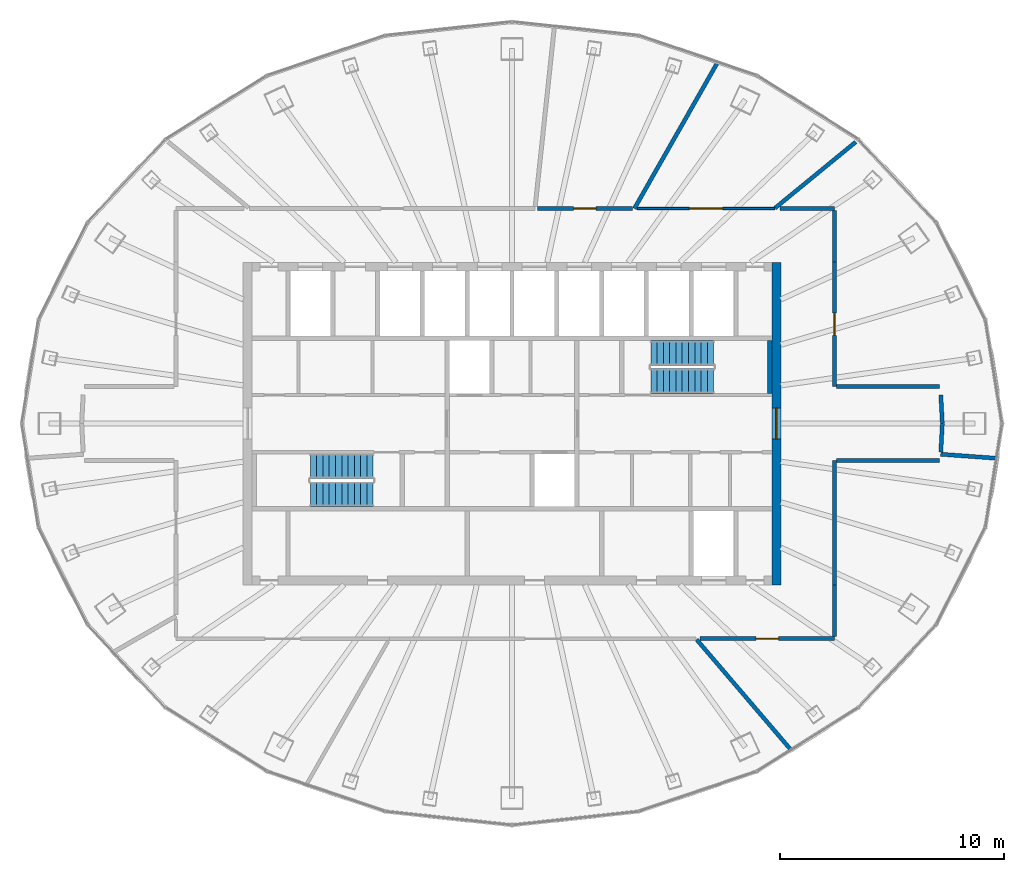
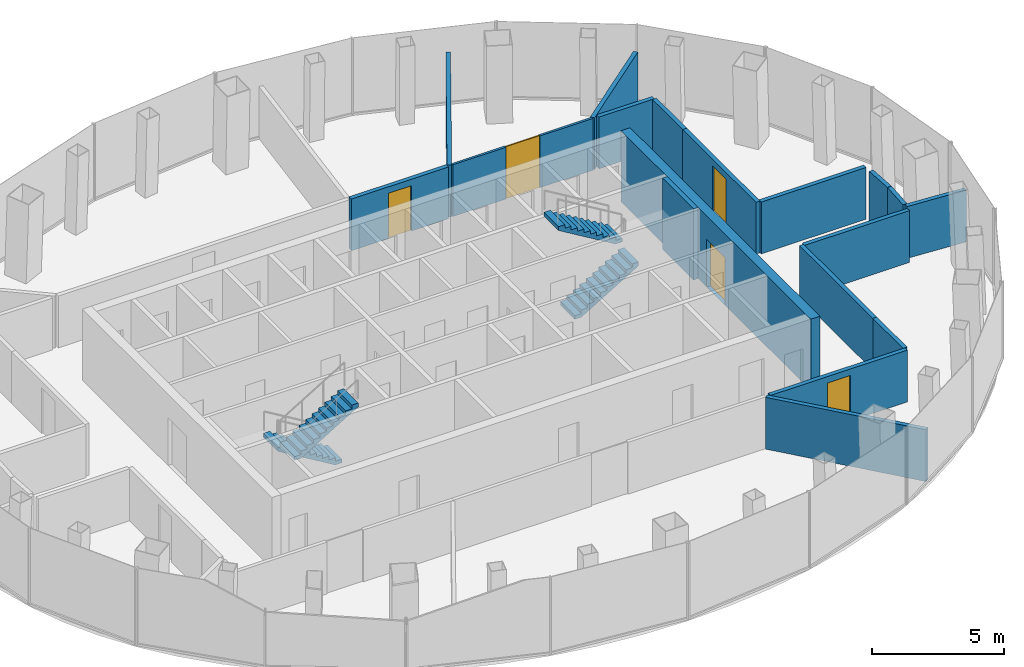
# One storey, part 10 of 11: 18 walls, 5 doors, 4 stair flights, 5 openings, 2 elements without a shape of their own.
"""IFC4 building model written with IfcOpenShell, lengths in metres."""

from ifc_helpers import new_model, si_unit, direction, frame, frame_2d, origin, place, context, subcontext, project, spatial, polyline, rectangle, outline, extrude, material, layer, layer_set, type_object, element, fill, aggregate, save


model = new_model("IFC4")

# Units and contexts
model_context = context("Model", 3, precision=1e-05, world=origin(), true_north=direction((0.0, 1.0)))
body_context = subcontext(model_context, "Body", "Model", "MODEL_VIEW")
ifc_project = project(units=[si_unit("LENGTHUNIT", "METRE"), si_unit("AREAUNIT", "SQUARE_METRE"), si_unit("VOLUMEUNIT", "CUBIC_METRE"), si_unit("PLANEANGLEUNIT", "RADIAN"), si_unit("MASSUNIT", "GRAM", prefix="KILO")], contexts=[model_context])

# Site, building, storey
site_placement = place(None, origin())
site = spatial("IfcSite", under=ifc_project, at=site_placement, CompositionType="ELEMENT")
building_placement = place(site_placement, origin())
building = spatial("IfcBuilding", under=site, at=building_placement, Name="Siaravel Broadcast Tower", CompositionType="ELEMENT")
storey_placement = place(building_placement, frame((0.0, 0.0, 224.5)))
storey = spatial("IfcBuildingStorey", under=building, at=storey_placement, Name="L54", CompositionType="ELEMENT", Elevation=224.5)

# Wall, opening, door
ifc_material_1 = material(Name="Concrete C60/75", Category="concrete")
ifc_layer_1 = layer(ifc_material_1, 0.39990234375)
ifc_layer_set_1 = layer_set([ifc_layer_1], Name="Concrete C60/75")
wall_type_1 = type_object("IfcWallType", Name="Core wall 400", PredefinedType="SHEAR", material=ifc_layer_set_1)
wall_1_placement = place(storey_placement, frame((11.800048828125, -7.199951171875, 0.0), z_axis=(0.0, 0.0, 1.0), x_axis=(0.0, 1.0, 0.0)))
wall_1 = element("IfcWall", 1, at=wall_1_placement, inside=storey, type_object=wall_type_1, Name="L54 core wall OE", PredefinedType="SHEAR", context=body_context, shape_type="SweptSolid", body=[
    extrude(rectangle(XDim=14.39990234375, YDim=0.39990234375, at=frame_2d((7.199951171875, 0.0))), origin(), (0.0, 0.0, 1.0), 3.300048828125),
])
opening_1_placement = place(wall_1_placement, frame((6.5, 0.0, 0.0)))
opening_1 = element("IfcOpeningElement", 2, at=opening_1_placement, cuts=wall_1, Name="Opening L54-DX-E", PredefinedType="OPENING", context=body_context, shape_type="SweptSolid", body=[
    extrude(rectangle(XDim=1.39990234375, YDim=2.199951171875, at=frame_2d((0.699951171875, 1.10009765625))), frame((0.0, 0.2099609375, 0.0), z_axis=(0.0, -1.0, 0.0), x_axis=(1.0, 0.0, 0.0)), (0.0, 0.0, 1.0), 0.419921875),
])
ifc_material_2 = material(Name="Steel", Category="steel")
door_type_1 = type_object("IfcDoorType", Name="Core exit door 1400", OperationType="DOUBLE_DOOR_SINGLE_SWING", PredefinedType="DOOR", material=ifc_material_2)
door_1_placement = place(opening_1_placement, origin())
door_1 = element("IfcDoor", 3, at=door_1_placement, inside=storey, type_object=door_type_1, Name="L54 door DX-E", OperationType="DOUBLE_DOOR_SINGLE_SWING", OverallHeight=2.199951171875, OverallWidth=1.39990234375, PredefinedType="DOOR", context=body_context, shape_type="SweptSolid", body=[
    extrude(rectangle(XDim=1.39990234375, YDim=2.199951171875, at=frame_2d((0.699951171875, 1.10009765625))), frame((0.0, 0.02490234375, 0.0), z_axis=(0.0, -1.0, 0.0), x_axis=(1.0, 0.0, 0.0)), (0.0, 0.0, 1.0), 0.050048828125),
])
fill(opening_1, door_1)

ifc_material_3 = material(Name="Glazed aluminium partition", Category="aluminium")
ifc_layer_2 = layer(ifc_material_3, 0.10009765625)
ifc_layer_set_2 = layer_set([ifc_layer_2], Name="Glazed aluminium partition")
wall_type_2 = type_object("IfcWallType", Name="Glazed meeting room partition 100", PredefinedType="PARTITIONING", material=ifc_layer_set_2)
wall_2_placement = place(storey_placement, frame((11.719970703125, 9.60009765625, 0.0), z_axis=(0.0, 0.0, 1.0), x_axis=(-1.0, 0.0, 0.0)))
wall_2 = element("IfcWall", 4, at=wall_2_placement, inside=storey, type_object=wall_type_2, Name="L54 partition 8", PredefinedType="PARTITIONING", context=body_context, shape_type="SweptSolid", body=[
    extrude(rectangle(XDim=6.120849609375, YDim=0.10009765625, at=frame_2d((3.060546875, 0.0))), origin(), (0.0, 0.0, 1.0), 2.39990234375),
])
opening_2_placement = place(wall_2_placement, frame((2.310302734375, 0.0, 0.0)))
opening_2 = element("IfcOpeningElement", 5, at=opening_2_placement, cuts=wall_2, Name="Opening L54-004", PredefinedType="OPENING", context=body_context, shape_type="SweptSolid", body=[
    extrude(rectangle(XDim=1.5, YDim=2.39990234375, at=frame_2d((0.75, 1.199951171875))), frame((0.0, 0.06005859375, 0.0), z_axis=(0.0, -1.0, 0.0), x_axis=(1.0, 0.0, 0.0)), (0.0, 0.0, 1.0), 0.1201171875),
])
ifc_material_4 = material(Name="Timber veneer", Category="wood")
door_type_2 = type_object("IfcDoorType", Name="Conference double door 1500", OperationType="DOUBLE_DOOR_SINGLE_SWING", PredefinedType="DOOR", material=ifc_material_4)
door_2_placement = place(opening_2_placement, origin())
door_2 = element("IfcDoor", 6, at=door_2_placement, inside=storey, type_object=door_type_2, Name="L54 door to Conference room", OperationType="DOUBLE_DOOR_SINGLE_SWING", OverallHeight=2.39990234375, OverallWidth=1.5, PredefinedType="DOOR", context=body_context, shape_type="SweptSolid", body=[
    extrude(rectangle(XDim=1.5, YDim=2.39990234375, at=frame_2d((0.75, 1.199951171875))), frame((0.0, 0.02490234375, 0.0), z_axis=(0.0, -1.0, 0.0), x_axis=(1.0, 0.0, 0.0)), (0.0, 0.0, 1.0), 0.050048828125),
])
fill(opening_2, door_2)

# Walls
ifc_material_5 = material(Name="Concrete blockwork", Category="masonry")
ifc_layer_3 = layer(ifc_material_5, 0.179931640625)
ifc_layer_set_3 = layer_set([ifc_layer_3], Name="Concrete blockwork")
wall_type_3 = type_object("IfcWallType", Name="Service room fire partition 180", PredefinedType="PARTITIONING", material=ifc_layer_set_3)
wall_3_placement = place(storey_placement, frame((9.16796875, 16.1044921875, 0.0), z_axis=(0.0, 0.0, 1.0), x_axis=(-0.494736666, -0.86904294, 0.0)))
element("IfcWall", 7, at=wall_3_placement, inside=storey, type_object=wall_type_3, Name="L54 partition 5", PredefinedType="PARTITIONING", context=body_context, shape_type="SweptSolid", body=[
    extrude(rectangle(XDim=7.484619140625, YDim=0.179931640625, at=frame_2d((3.7421875, 0.0))), origin(), (0.0, 0.0, 1.0), 2.39990234375),
])
wall_4_placement = place(storey_placement, frame((12.44580078125, -14.5595703125, 0.0), z_axis=(0.0, 0.0, 1.0), x_axis=(-0.649761442, 0.76013819, 0.0)))
element("IfcWall", 8, at=wall_4_placement, inside=storey, type_object=wall_type_3, Name="L54 partition 7", PredefinedType="PARTITIONING", context=body_context, shape_type="SweptSolid", body=[
    extrude(rectangle(XDim=6.46533203125, YDim=0.179931640625, at=frame_2d((3.232666015625, 0.0))), origin(), (0.0, 0.0, 1.0), 2.39990234375),
])

# Wall, opening, door
wall_5_placement = place(storey_placement, frame((8.40380859375, -9.60009765625, 0.0), z_axis=(0.0, 0.0, 1.0), x_axis=(1.0, 0.0, 0.0)))
wall_5 = element("IfcWall", 9, at=wall_5_placement, inside=storey, type_object=wall_type_3, Name="L54 partition 9", PredefinedType="PARTITIONING", context=body_context, shape_type="SweptSolid", body=[
    extrude(rectangle(XDim=5.99609375, YDim=0.179931640625, at=frame_2d((2.998046875, 0.0))), origin(), (0.0, 0.0, 1.0), 2.39990234375),
])
opening_3_placement = place(wall_5_placement, frame((2.498046875, 0.0, 0.0)))
opening_3 = element("IfcOpeningElement", 10, at=opening_3_placement, cuts=wall_5, Name="Opening L54-002", PredefinedType="OPENING", context=body_context, shape_type="SweptSolid", body=[
    extrude(rectangle(XDim=1.0, YDim=2.10009765625, at=frame_2d((0.5, 1.050048828125))), frame((0.0, 0.099853515625, 0.0), z_axis=(0.0, -1.0, 0.0), x_axis=(1.0, 0.0, 0.0)), (0.0, 0.0, 1.0), 0.199951171875),
])
door_type_3 = type_object("IfcDoorType", Name="Service room door 1000", OperationType="SINGLE_SWING_LEFT", PredefinedType="DOOR", material=ifc_material_2)
door_3_placement = place(opening_3_placement, origin())
door_3 = element("IfcDoor", 11, at=door_3_placement, inside=storey, type_object=door_type_3, Name="L54 door to Library", OperationType="SINGLE_SWING_RIGHT", OverallHeight=2.10009765625, OverallWidth=1.0, PredefinedType="DOOR", context=body_context, shape_type="SweptSolid", body=[
    extrude(rectangle(XDim=1.0, YDim=2.10009765625, at=frame_2d((0.5, 1.050048828125))), frame((0.0, 0.02490234375, 0.0), z_axis=(0.0, -1.0, 0.0), x_axis=(1.0, 0.0, 0.0)), (0.0, 0.0, 1.0), 0.050048828125),
])
fill(opening_3, door_3)

# Wall
wall_6_placement = place(storey_placement, frame((14.39990234375, -7.2119140625, 0.0), z_axis=(0.0, 0.0, 1.0), x_axis=(0.0, 1.0, 0.0)))
element("IfcWall", 12, at=wall_6_placement, inside=storey, type_object=wall_type_3, Name="L54 partition 12", PredefinedType="PARTITIONING", context=body_context, shape_type="SweptSolid", body=[
    extrude(rectangle(XDim=5.56201171875, YDim=0.179931640625, at=frame_2d((2.781005859375, 0.0))), origin(), (0.0, 0.0, 1.0), 2.39990234375),
])

# Wall, opening, door
wall_7_placement = place(storey_placement, frame((14.39990234375, 1.64990234375, 0.0), z_axis=(0.0, 0.0, 1.0), x_axis=(0.0, 1.0, 0.0)))
wall_7 = element("IfcWall", 13, at=wall_7_placement, inside=storey, type_object=wall_type_3, Name="L54 partition 13", PredefinedType="PARTITIONING", context=body_context, shape_type="SweptSolid", body=[
    extrude(rectangle(XDim=5.56201171875, YDim=0.179931640625, at=frame_2d((2.781005859375, 0.0))), origin(), (0.0, 0.0, 1.0), 2.39990234375),
])
opening_4_placement = place(wall_7_placement, frame((2.281005859375, 0.0, 0.0)))
opening_4 = element("IfcOpeningElement", 14, at=opening_4_placement, cuts=wall_7, Name="Opening L54-003", PredefinedType="OPENING", context=body_context, shape_type="SweptSolid", body=[
    extrude(rectangle(XDim=1.0, YDim=2.10009765625, at=frame_2d((0.5, 1.050048828125))), frame((0.0, 0.099853515625, 0.0), z_axis=(0.0, -1.0, 0.0), x_axis=(1.0, 0.0, 0.0)), (0.0, 0.0, 1.0), 0.199951171875),
])
door_4_placement = place(opening_4_placement, origin())
door_4 = element("IfcDoor", 15, at=door_4_placement, inside=storey, type_object=door_type_3, Name="L54 door to Library", OperationType="SINGLE_SWING_LEFT", OverallHeight=2.10009765625, OverallWidth=1.0, PredefinedType="DOOR", context=body_context, shape_type="SweptSolid", body=[
    extrude(rectangle(XDim=1.0, YDim=2.10009765625, at=frame_2d((0.5, 1.050048828125))), frame((0.0, 0.02490234375, 0.0), z_axis=(0.0, -1.0, 0.0), x_axis=(1.0, 0.0, 0.0)), (0.0, 0.0, 1.0), 0.050048828125),
])
fill(opening_4, door_4)

# Walls
wall_8_placement = place(storey_placement, frame((15.344970703125, 12.5693359375, 0.0), z_axis=(0.0, 0.0, 1.0), x_axis=(-0.773592416, -0.633683497, 0.0)))
element("IfcWall", 16, at=wall_8_placement, inside=storey, type_object=wall_type_3, Name="L54 partition 15", PredefinedType="PARTITIONING", context=body_context, shape_type="SweptSolid", body=[
    extrude(rectangle(XDim=4.652099609375, YDim=0.179931640625, at=frame_2d((2.326171875, 0.0))), origin(), (0.0, 0.0, 1.0), 2.39990234375),
])
for number, where, z_axis, x_axis, name in (
    (17, (19.0849609375, 1.64990234375, 0.0), (0.0, 0.0, 1.0), (-1.0, 0.0, 0.0), "L54 partition 16"),
    (18, (14.491943359375, -1.64990234375, 0.0), (0.0, 0.0, 1.0), (1.0, 0.0, 0.0), "L54 partition 17"),
):
    element("IfcWall", number, at=place(storey_placement, frame(where, z_axis=z_axis, x_axis=x_axis)), inside=storey, type_object=wall_type_3, Name=name, PredefinedType="PARTITIONING", context=body_context, shape_type="SweptSolid", body=[
        extrude(rectangle(XDim=4.593017578125, YDim=0.179931640625, at=frame_2d((2.29638671875, 0.0))), origin(), (0.0, 0.0, 1.0), 2.39990234375),
    ])

# Wall, opening, door
wall_9_placement = place(storey_placement, frame((5.385009765625, 9.60009765625, 0.0), z_axis=(0.0, 0.0, 1.0), x_axis=(-1.0, 0.0, 0.0)))
wall_9 = element("IfcWall", 19, at=wall_9_placement, inside=storey, type_object=wall_type_3, Name="L54 partition 18", PredefinedType="PARTITIONING", context=body_context, shape_type="SweptSolid", body=[
    extrude(rectangle(XDim=4.257568359375, YDim=0.179931640625, at=frame_2d((2.12890625, 0.0))), origin(), (0.0, 0.0, 1.0), 2.39990234375),
])
opening_5_placement = place(wall_9_placement, frame((1.628662109375, 0.0, 0.0)))
opening_5 = element("IfcOpeningElement", 20, at=opening_5_placement, cuts=wall_9, Name="Opening L54-005", PredefinedType="OPENING", context=body_context, shape_type="SweptSolid", body=[
    extrude(rectangle(XDim=1.0, YDim=2.10009765625, at=frame_2d((0.5, 1.050048828125))), frame((0.0, 0.099853515625, 0.0), z_axis=(0.0, -1.0, 0.0), x_axis=(1.0, 0.0, 0.0)), (0.0, 0.0, 1.0), 0.199951171875),
])
door_5_placement = place(opening_5_placement, origin())
door_5 = element("IfcDoor", 21, at=door_5_placement, inside=storey, type_object=door_type_3, Name="L54 door to Library", OperationType="SINGLE_SWING_LEFT", OverallHeight=2.10009765625, OverallWidth=1.0, PredefinedType="DOOR", context=body_context, shape_type="SweptSolid", body=[
    extrude(rectangle(XDim=1.0, YDim=2.10009765625, at=frame_2d((0.5, 1.050048828125))), frame((0.0, 0.02490234375, 0.0), z_axis=(0.0, -1.0, 0.0), x_axis=(1.0, 0.0, 0.0)), (0.0, 0.0, 1.0), 0.050048828125),
])
fill(opening_5, door_5)

# Walls
wall_10_placement = place(storey_placement, frame((14.39990234375, 9.60009765625, 0.0), z_axis=(0.0, 0.0, 1.0), x_axis=(-1.0, 0.0, 0.0)))
element("IfcWall", 22, at=wall_10_placement, inside=storey, type_object=wall_type_3, Name="L54 partition 23", PredefinedType="PARTITIONING", context=body_context, shape_type="SweptSolid", body=[
    extrude(rectangle(XDim=2.426025390625, YDim=0.179931640625, at=frame_2d((1.212890625, 0.0))), origin(), (0.0, 0.0, 1.0), 2.39990234375),
])
wall_11_placement = place(storey_placement, frame((21.633544921875, -1.55029296875, 0.0), z_axis=(0.0, 0.0, 1.0), x_axis=(-0.997442317, 0.071476043, 0.0)))
element("IfcWall", 23, at=wall_11_placement, inside=storey, type_object=wall_type_3, Name="L54 partition 25", PredefinedType="PARTITIONING", context=body_context, shape_type="SweptSolid", body=[
    extrude(rectangle(XDim=2.500244140625, YDim=0.179931640625, at=frame_2d((1.25, 0.0))), origin(), (0.0, 0.0, 1.0), 2.39990234375),
])
for number, where, z_axis, x_axis, name in (
    (24, (14.39990234375, -9.508056640625, 0.0), (0.0, 0.0, 1.0), (0.0, 1.0, 0.0), "L54 partition 27"),
    (25, (14.39990234375, 7.212890625, 0.0), (0.0, 0.0, 1.0), (0.0, 1.0, 0.0), "L54 partition 28"),
):
    element("IfcWall", number, at=place(storey_placement, frame(where, z_axis=z_axis, x_axis=x_axis)), inside=storey, type_object=wall_type_3, Name=name, PredefinedType="PARTITIONING", context=body_context, shape_type="SweptSolid", body=[
        extrude(rectangle(XDim=2.295166015625, YDim=0.179931640625, at=frame_2d((1.1474609375, 0.0))), origin(), (0.0, 0.0, 1.0), 2.39990234375),
    ])
wall_12_placement = place(storey_placement, frame((19.144287109375, -1.27978515625, 0.0), z_axis=(0.0, 0.0, 1.0), x_axis=(0.05333869, 0.998576479, 0.0)))
element("IfcWall", 26, at=wall_12_placement, inside=storey, type_object=wall_type_3, Name="L54 partition 31", PredefinedType="PARTITIONING", context=body_context, shape_type="SweptSolid", body=[
    extrude(rectangle(XDim=1.281494140625, YDim=0.179931640625, at=frame_2d((0.640625, 0.0))), origin(), (0.0, 0.0, 1.0), 2.39990234375),
])
wall_13_placement = place(storey_placement, frame((19.2119140625, 0.011474609375, 0.0), z_axis=(0.0, 0.0, 1.0), x_axis=(-0.053214222, 0.99858312, 0.0)))
element("IfcWall", 27, at=wall_13_placement, inside=storey, type_object=wall_type_3, Name="L54 partition 33", PredefinedType="PARTITIONING", context=body_context, shape_type="SweptSolid", body=[
    extrude(rectangle(XDim=1.270751953125, YDim=0.179931640625, at=frame_2d((0.63525390625, 0.0))), origin(), (0.0, 0.0, 1.0), 2.39990234375),
])
ifc_layer_4 = layer(ifc_material_1, 0.199951171875)
ifc_layer_set_4 = layer_set([ifc_layer_4], Name="Concrete C60/75")
wall_type_4 = type_object("IfcWallType", Name="Shaft wall 200", PredefinedType="SHEAR", material=ifc_layer_set_4)
wall_14_placement = place(storey_placement, frame((11.5, 1.35009765625, 0.0), z_axis=(0.0, 0.0, 1.0), x_axis=(0.0, 1.0, 0.0)))
element("IfcWall", 28, at=wall_14_placement, inside=storey, type_object=wall_type_4, Name="L54 core wall ST2E", PredefinedType="SHEAR", context=body_context, shape_type="SweptSolid", body=[
    extrude(rectangle(XDim=2.349853515625, YDim=0.199951171875, at=frame_2d((1.1748046875, 0.0))), origin(), (0.0, 0.0, 1.0), 3.300048828125),
])

# Stair, stair flights
ifc_material_6 = material(Name="Concrete C40/50", Category="concrete")
stair_type = type_object("IfcStairType", Name="Core exit stair", PredefinedType="HALF_TURN_STAIR", material=ifc_material_6)
stair_1_placement = place(storey_placement, origin())
stair_1 = element("IfcStair", 29, at=stair_1_placement, inside=storey, type_object=stair_type, Name="L54 Exit stair ST-1", PredefinedType="HALF_TURN_STAIR")
stair_flight_type = type_object("IfcStairFlightType", Name="Stair flight 1100", PredefinedType="STRAIGHT", material=ifc_material_6)
stair_flight_1_placement = place(storey_placement, frame((-6.199951171875, -1.89990234375, 0.0), z_axis=(0.0, 0.0, 1.0), x_axis=(-1.0, 0.0, 0.0)))
stair_flight_1 = element("IfcStairFlight", 30, at=stair_flight_1_placement, type_object=stair_flight_type, Name="ST-1 flight 1", NumberOfRisers=11, NumberOfTreads=10, PredefinedType="STRAIGHT", RiserHeight=0.1681818, TreadLength=0.28, context=body_context, shape_type="SweptSolid", body=[
    extrude(outline(polyline([(0.0, 0.0), (0.0, 0.168212890625), (0.280029296875, 0.168212890625), (0.280029296875, 0.33642578125), (0.56005859375, 0.33642578125), (0.56005859375, 0.504638671875), (0.840087890625, 0.504638671875), (0.840087890625, 0.672607421875), (1.1201171875, 0.672607421875), (1.1201171875, 0.8408203125), (1.39990234375, 0.8408203125), (1.39990234375, 1.009033203125), (1.679931640625, 1.009033203125), (1.679931640625, 1.17724609375), (1.9599609375, 1.17724609375), (1.9599609375, 1.345458984375), (2.239990234375, 1.345458984375), (2.239990234375, 1.513671875), (2.52001953125, 1.513671875), (2.52001953125, 1.681884765625), (2.800048828125, 1.681884765625), (2.800048828125, 1.85009765625), (2.800048828125, 1.5068359375), (0.291015625, 0.0), (0.0, 0.0)])), frame((0.0, 0.550048828125, 0.0), z_axis=(0.0, -1.0, 0.0), x_axis=(1.0, 0.0, 0.0)), (0.0, 0.0, 1.0), 1.10009765625),
])
stair_flight_2_placement = place(storey_placement, frame((-9.0, -3.14990234375, 1.85009765625), z_axis=(0.0, 0.0, 1.0), x_axis=(1.0, 0.0, 0.0)))
stair_flight_2 = element("IfcStairFlight", 31, at=stair_flight_2_placement, type_object=stair_flight_type, Name="ST-1 flight 2", NumberOfRisers=11, NumberOfTreads=10, PredefinedType="STRAIGHT", RiserHeight=0.1681818, TreadLength=0.28, context=body_context, shape_type="SweptSolid", body=[
    extrude(outline(polyline([(0.0, 0.0), (0.0, 0.168212890625), (0.280029296875, 0.168212890625), (0.280029296875, 0.33642578125), (0.56005859375, 0.33642578125), (0.56005859375, 0.504638671875), (0.840087890625, 0.504638671875), (0.840087890625, 0.672607421875), (1.1201171875, 0.672607421875), (1.1201171875, 0.8408203125), (1.39990234375, 0.8408203125), (1.39990234375, 1.009033203125), (1.679931640625, 1.009033203125), (1.679931640625, 1.17724609375), (1.9599609375, 1.17724609375), (1.9599609375, 1.345458984375), (2.239990234375, 1.345458984375), (2.239990234375, 1.513671875), (2.52001953125, 1.513671875), (2.52001953125, 1.681884765625), (2.800048828125, 1.681884765625), (2.800048828125, 1.85009765625), (2.800048828125, 1.5068359375), (0.291015625, 0.0), (0.0, 0.0)])), frame((0.0, 0.550048828125, 0.0), z_axis=(0.0, -1.0, 0.0), x_axis=(1.0, 0.0, 0.0)), (0.0, 0.0, 1.0), 1.10009765625),
])
aggregate(stair_1, [stair_flight_1, stair_flight_2])

stair_2_placement = place(storey_placement, origin())
stair_2 = element("IfcStair", 32, at=stair_2_placement, inside=storey, type_object=stair_type, Name="L54 Exit stair ST-2", PredefinedType="HALF_TURN_STAIR")
stair_flight_3_placement = place(storey_placement, frame((6.199951171875, 1.89990234375, 0.0), z_axis=(0.0, 0.0, 1.0), x_axis=(1.0, 0.0, 0.0)))
stair_flight_3 = element("IfcStairFlight", 33, at=stair_flight_3_placement, type_object=stair_flight_type, Name="ST-2 flight 1", NumberOfRisers=11, NumberOfTreads=10, PredefinedType="STRAIGHT", RiserHeight=0.1681818, TreadLength=0.28, context=body_context, shape_type="SweptSolid", body=[
    extrude(outline(polyline([(0.0, 0.0), (0.0, 0.168212890625), (0.280029296875, 0.168212890625), (0.280029296875, 0.33642578125), (0.56005859375, 0.33642578125), (0.56005859375, 0.504638671875), (0.840087890625, 0.504638671875), (0.840087890625, 0.672607421875), (1.1201171875, 0.672607421875), (1.1201171875, 0.8408203125), (1.39990234375, 0.8408203125), (1.39990234375, 1.009033203125), (1.679931640625, 1.009033203125), (1.679931640625, 1.17724609375), (1.9599609375, 1.17724609375), (1.9599609375, 1.345458984375), (2.239990234375, 1.345458984375), (2.239990234375, 1.513671875), (2.52001953125, 1.513671875), (2.52001953125, 1.681884765625), (2.800048828125, 1.681884765625), (2.800048828125, 1.85009765625), (2.800048828125, 1.5068359375), (0.291015625, 0.0), (0.0, 0.0)])), frame((0.0, 0.550048828125, 0.0), z_axis=(0.0, -1.0, 0.0), x_axis=(1.0, 0.0, 0.0)), (0.0, 0.0, 1.0), 1.10009765625),
])
stair_flight_4_placement = place(storey_placement, frame((9.0, 3.14990234375, 1.85009765625), z_axis=(0.0, 0.0, 1.0), x_axis=(-1.0, 0.0, 0.0)))
stair_flight_4 = element("IfcStairFlight", 34, at=stair_flight_4_placement, type_object=stair_flight_type, Name="ST-2 flight 2", NumberOfRisers=11, NumberOfTreads=10, PredefinedType="STRAIGHT", RiserHeight=0.1681818, TreadLength=0.28, context=body_context, shape_type="SweptSolid", body=[
    extrude(outline(polyline([(0.0, 0.0), (0.0, 0.168212890625), (0.280029296875, 0.168212890625), (0.280029296875, 0.33642578125), (0.56005859375, 0.33642578125), (0.56005859375, 0.504638671875), (0.840087890625, 0.504638671875), (0.840087890625, 0.672607421875), (1.1201171875, 0.672607421875), (1.1201171875, 0.8408203125), (1.39990234375, 0.8408203125), (1.39990234375, 1.009033203125), (1.679931640625, 1.009033203125), (1.679931640625, 1.17724609375), (1.9599609375, 1.17724609375), (1.9599609375, 1.345458984375), (2.239990234375, 1.345458984375), (2.239990234375, 1.513671875), (2.52001953125, 1.513671875), (2.52001953125, 1.681884765625), (2.800048828125, 1.681884765625), (2.800048828125, 1.85009765625), (2.800048828125, 1.5068359375), (0.291015625, 0.0), (0.0, 0.0)])), frame((0.0, 0.550048828125, 0.0), z_axis=(0.0, -1.0, 0.0), x_axis=(1.0, 0.0, 0.0)), (0.0, 0.0, 1.0), 1.10009765625),
])
aggregate(stair_2, [stair_flight_3, stair_flight_4])

save(model, "model.ifc")
